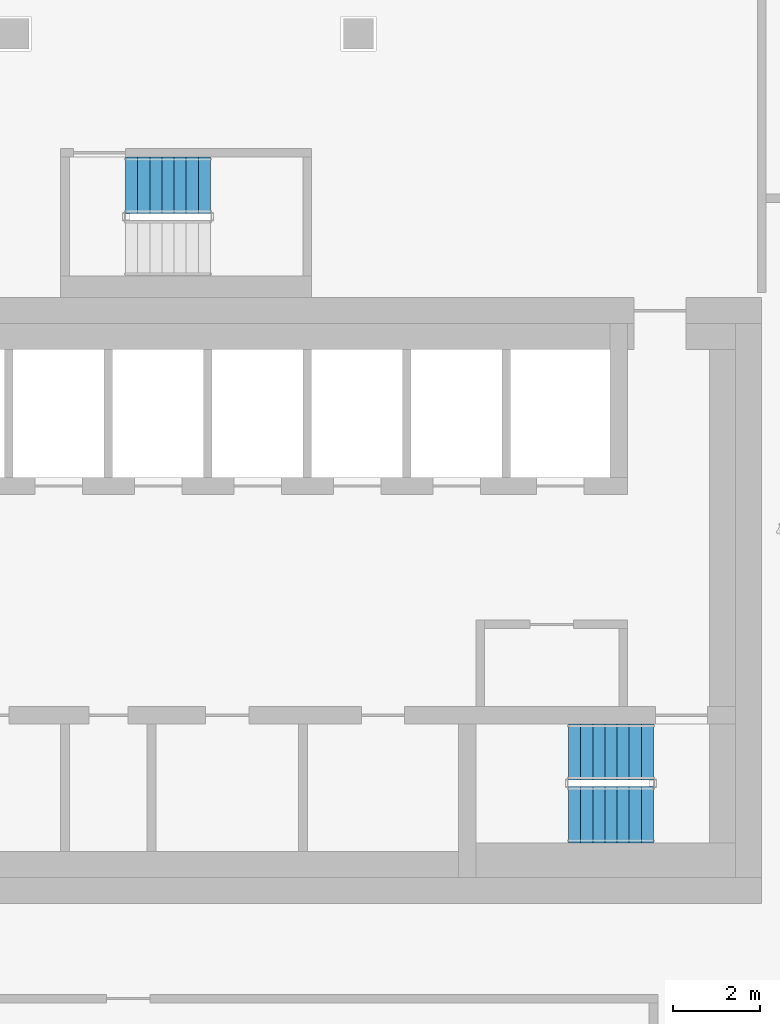
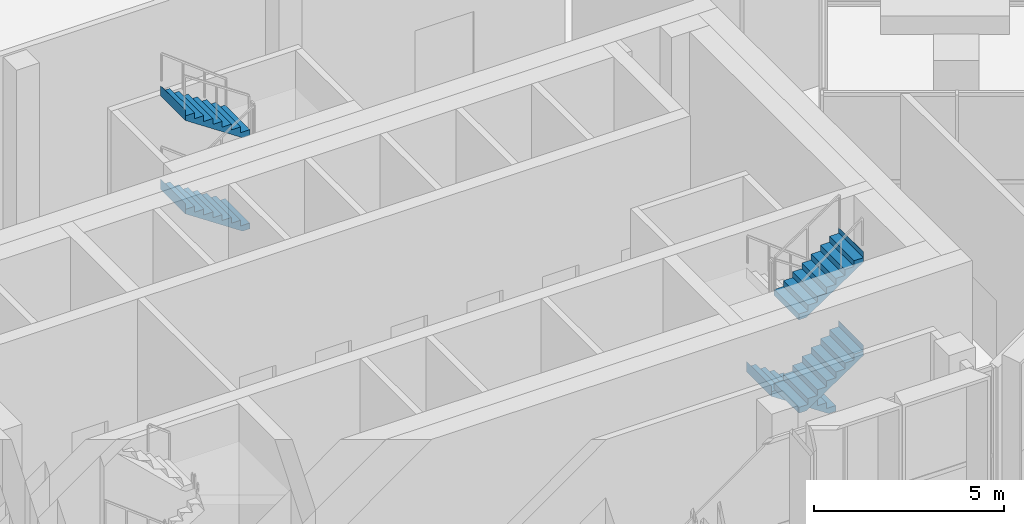
# One storey, part 17 of 23: 5 stair flights, 2 elements without a shape of their own.
"""IFC4 building model written with IfcOpenShell, lengths in metres."""

from ifc_helpers import new_model, si_unit, direction, frame, origin, place, context, subcontext, project, spatial, triangles, material, type_object, element, aggregate, save


model = new_model("IFC4")

# Units and contexts
model_context = context("Model", 3, precision=1e-05, world=origin(), true_north=direction((0.0, 1.0)))
body_context = subcontext(model_context, "Body", "Model", "MODEL_VIEW")
ifc_project = project(units=[si_unit("LENGTHUNIT", "METRE"), si_unit("AREAUNIT", "SQUARE_METRE"), si_unit("VOLUMEUNIT", "CUBIC_METRE"), si_unit("PLANEANGLEUNIT", "RADIAN"), si_unit("MASSUNIT", "GRAM", prefix="KILO")], contexts=[model_context])

# Site, building, storey
site_placement = place(None, origin())
site = spatial("IfcSite", under=ifc_project, at=site_placement, CompositionType="ELEMENT")
building_placement = place(site_placement, origin())
building = spatial("IfcBuilding", under=site, at=building_placement, Name="Beryl Residences", CompositionType="ELEMENT")
storey_placement = place(building_placement, frame((0.0, 0.0, 157.199951171875)))
storey = spatial("IfcBuildingStorey", under=building, at=storey_placement, Name="L48", CompositionType="ELEMENT", Elevation=157.199951171875)

# Stair, stair flights
ifc_material_1 = material(Name="Concrete C40/50", Category="concrete")
stair_type = type_object("IfcStairType", Name="ST1 protected exit stair, half-turn, 1300 mm flights", PredefinedType="HALF_TURN_STAIR", material=ifc_material_1)
stair_1_placement = place(storey_placement, origin())
stair_1 = element("IfcStair", 1, at=stair_1_placement, inside=storey, type_object=stair_type, Name="L48 PROTECTED EXIT STAIR ST-3", PredefinedType="HALF_TURN_STAIR")
ifc_material_2 = material(Name="Concrete C40/50", Category="concrete")
stair_flight_type = type_object("IfcStairFlightType", Name="SF1 stair flight 1300 mm", PredefinedType="STRAIGHT", material=ifc_material_2)
stair_flight_1_placement = place(storey_placement, frame((10.800048828125, -15.5, 0.0), z_axis=(0.0, 0.0, 1.0), x_axis=(-1.0, 0.0, 0.0)))
stair_flight_1 = element("IfcStairFlight", 2, at=stair_flight_1_placement, type_object=stair_flight_type, Name="ST-3 flight 1", NumberOfRisers=8, NumberOfTreads=7, PredefinedType="STRAIGHT", RiserHeight=0.1875, TreadLength=0.28, context=body_context, shape_type="Tessellation", body=[
    triangles([(0.0, -0.64990234375, 0.0), (0.0, -0.324951171875, 0.0), (0.0, 0.0, 0.0), (0.0, 0.324951171875, 0.0), (0.0, 0.64990234375, 0.0), (0.0, -0.64990234375, 0.1875), (0.0, -0.324951171875, 0.1875), (0.0, 0.0, 0.1875), (0.0, 0.324951171875, 0.1875), (0.0, 0.64990234375, 0.1875), (0.280029296875, -0.64990234375, 0.1875), (0.280029296875, -0.324951171875, 0.1875), (0.280029296875, 0.0, 0.1875), (0.280029296875, 0.324951171875, 0.1875), (0.280029296875, 0.64990234375, 0.1875), (0.280029296875, -0.64990234375, 0.375), (0.280029296875, -0.324951171875, 0.375), (0.280029296875, 0.0, 0.375), (0.280029296875, 0.324951171875, 0.375), (0.280029296875, 0.64990234375, 0.375), (0.56005859375, -0.64990234375, 0.375), (0.56005859375, -0.324951171875, 0.375), (0.56005859375, 0.0, 0.375), (0.56005859375, 0.324951171875, 0.375), (0.56005859375, 0.64990234375, 0.375), (0.56005859375, -0.64990234375, 0.5625), (0.56005859375, -0.324951171875, 0.5625), (0.56005859375, 0.0, 0.5625), (0.56005859375, 0.324951171875, 0.5625), (0.56005859375, 0.64990234375, 0.5625), (0.840087890625, -0.64990234375, 0.5625), (0.840087890625, -0.324951171875, 0.5625), (0.840087890625, 0.0, 0.5625), (0.840087890625, 0.324951171875, 0.5625), (0.840087890625, 0.64990234375, 0.5625), (0.840087890625, -0.64990234375, 0.75), (0.840087890625, -0.324951171875, 0.75), (0.840087890625, 0.0, 0.75), (0.840087890625, 0.324951171875, 0.75), (0.840087890625, 0.64990234375, 0.75), (1.1201171875, -0.64990234375, 0.75), (1.1201171875, -0.324951171875, 0.75), (1.1201171875, 0.0, 0.75), (1.1201171875, 0.324951171875, 0.75), (1.1201171875, 0.64990234375, 0.75), (1.1201171875, -0.64990234375, 0.9375), (1.1201171875, -0.324951171875, 0.9375), (1.1201171875, 0.0, 0.9375), (1.1201171875, 0.324951171875, 0.9375), (1.1201171875, 0.64990234375, 0.9375), (1.39990234375, -0.64990234375, 0.9375), (1.39990234375, -0.324951171875, 0.9375), (1.39990234375, 0.0, 0.9375), (1.39990234375, 0.324951171875, 0.9375), (1.39990234375, 0.64990234375, 0.9375), (1.39990234375, -0.64990234375, 1.125), (1.39990234375, -0.324951171875, 1.125), (1.39990234375, 0.0, 1.125), (1.39990234375, 0.324951171875, 1.125), (1.39990234375, 0.64990234375, 1.125), (1.679931640625, -0.64990234375, 1.125), (1.679931640625, -0.324951171875, 1.125), (1.679931640625, 0.0, 1.125), (1.679931640625, 0.324951171875, 1.125), (1.679931640625, 0.64990234375, 1.125), (1.679931640625, -0.64990234375, 1.3125), (1.679931640625, -0.324951171875, 1.3125), (1.679931640625, 0.0, 1.3125), (1.679931640625, 0.324951171875, 1.3125), (1.679931640625, 0.64990234375, 1.3125), (1.9599609375, -0.64990234375, 1.3125), (1.9599609375, -0.324951171875, 1.3125), (1.9599609375, 0.0, 1.3125), (1.9599609375, 0.324951171875, 1.3125), (1.9599609375, 0.64990234375, 1.3125), (1.9599609375, -0.64990234375, 1.5), (1.9599609375, -0.324951171875, 1.5), (1.9599609375, 0.0, 1.5), (1.9599609375, 0.324951171875, 1.5), (1.9599609375, 0.64990234375, 1.5), (1.9609375, -0.64990234375, 1.5), (1.9609375, -0.324951171875, 1.5), (1.9609375, 0.0, 1.5), (1.9609375, 0.324951171875, 1.5), (1.9609375, 0.64990234375, 1.5), (1.9609375, -0.64990234375, 1.16796875), (1.9609375, -0.324951171875, 1.16796875), (1.9609375, 0.0, 1.16796875), (1.9609375, 0.324951171875, 1.16796875), (1.9609375, 0.64990234375, 1.16796875), (0.216796875, -0.64990234375, 0.0), (0.216796875, -0.324951171875, 0.0), (0.216796875, 0.0, 0.0), (0.216796875, 0.324951171875, 0.0), (0.216796875, 0.64990234375, 0.0)], [[1, 6, 7], [1, 7, 2], [2, 7, 8], [2, 8, 3], [3, 8, 9], [3, 9, 4], [4, 9, 10], [4, 10, 5], [6, 11, 12], [6, 12, 7], [7, 12, 13], [7, 13, 8], [8, 13, 14], [8, 14, 9], [9, 14, 15], [9, 15, 10], [11, 16, 17], [11, 17, 12], [12, 17, 18], [12, 18, 13], [13, 18, 19], [13, 19, 14], [14, 19, 20], [14, 20, 15], [16, 21, 22], [16, 22, 17], [17, 22, 23], [17, 23, 18], [18, 23, 24], [18, 24, 19], [19, 24, 25], [19, 25, 20], [21, 26, 27], [21, 27, 22], [22, 27, 28], [22, 28, 23], [23, 28, 29], [23, 29, 24], [24, 29, 30], [24, 30, 25], [26, 31, 32], [26, 32, 27], [27, 32, 33], [27, 33, 28], [28, 33, 34], [28, 34, 29], [29, 34, 35], [29, 35, 30], [31, 36, 37], [31, 37, 32], [32, 37, 38], [32, 38, 33], [33, 38, 39], [33, 39, 34], [34, 39, 40], [34, 40, 35], [36, 41, 42], [36, 42, 37], [37, 42, 43], [37, 43, 38], [38, 43, 44], [38, 44, 39], [39, 44, 45], [39, 45, 40], [41, 46, 47], [41, 47, 42], [42, 47, 48], [42, 48, 43], [43, 48, 49], [43, 49, 44], [44, 49, 50], [44, 50, 45], [46, 51, 52], [46, 52, 47], [47, 52, 53], [47, 53, 48], [48, 53, 54], [48, 54, 49], [49, 54, 55], [49, 55, 50], [51, 56, 57], [51, 57, 52], [52, 57, 58], [52, 58, 53], [53, 58, 59], [53, 59, 54], [54, 59, 60], [54, 60, 55], [56, 61, 62], [56, 62, 57], [57, 62, 63], [57, 63, 58], [58, 63, 64], [58, 64, 59], [59, 64, 65], [59, 65, 60], [61, 66, 67], [61, 67, 62], [62, 67, 68], [62, 68, 63], [63, 68, 69], [63, 69, 64], [64, 69, 70], [64, 70, 65], [66, 71, 72], [66, 72, 67], [67, 72, 73], [67, 73, 68], [68, 73, 74], [68, 74, 69], [69, 74, 75], [69, 75, 70], [71, 76, 77], [71, 77, 72], [72, 77, 78], [72, 78, 73], [73, 78, 79], [73, 79, 74], [74, 79, 80], [74, 80, 75], [76, 81, 82], [76, 82, 77], [77, 82, 83], [77, 83, 78], [78, 83, 84], [78, 84, 79], [79, 84, 85], [79, 85, 80], [81, 86, 87], [81, 87, 82], [82, 87, 88], [82, 88, 83], [83, 88, 89], [83, 89, 84], [84, 89, 90], [84, 90, 85], [86, 91, 92], [86, 92, 87], [87, 92, 93], [87, 93, 88], [88, 93, 94], [88, 94, 89], [89, 94, 95], [89, 95, 90], [91, 1, 2], [91, 2, 92], [92, 2, 3], [92, 3, 93], [93, 3, 4], [93, 4, 94], [94, 4, 5], [94, 5, 95], [1, 91, 86], [5, 90, 95], [86, 81, 76], [90, 80, 85], [86, 76, 71], [90, 75, 80], [86, 71, 66], [90, 70, 75], [86, 66, 61], [90, 65, 70], [61, 56, 51], [65, 55, 60], [86, 61, 51], [90, 55, 65], [51, 46, 41], [55, 45, 50], [86, 51, 41], [90, 45, 55], [41, 36, 31], [45, 35, 40], [86, 41, 31], [90, 35, 45], [31, 26, 21], [35, 25, 30], [86, 31, 21], [90, 25, 35], [21, 16, 11], [25, 15, 20], [86, 21, 11], [90, 15, 25], [1, 86, 11], [5, 15, 90], [11, 6, 1], [15, 5, 10]], closed=True),
])
stair_flight_2_placement = place(storey_placement, frame((8.840087890625, -16.949951171875, 1.5), z_axis=(0.0, 0.0, 1.0), x_axis=(1.0, 0.0, 0.0)))
stair_flight_2 = element("IfcStairFlight", 3, at=stair_flight_2_placement, type_object=stair_flight_type, Name="ST-3 flight 2", NumberOfRisers=8, NumberOfTreads=7, PredefinedType="STRAIGHT", RiserHeight=0.1875, TreadLength=0.28, context=body_context, shape_type="Tessellation", body=[
    triangles([(0.0, -0.64990234375, 0.0), (0.0, -0.324951171875, 0.0), (0.0, 0.0, 0.0), (0.0, 0.324951171875, 0.0), (0.0, 0.64990234375, 0.0), (0.0, -0.64990234375, 0.1875), (0.0, -0.324951171875, 0.1875), (0.0, 0.0, 0.1875), (0.0, 0.324951171875, 0.1875), (0.0, 0.64990234375, 0.1875), (0.280029296875, -0.64990234375, 0.1875), (0.280029296875, -0.324951171875, 0.1875), (0.280029296875, 0.0, 0.1875), (0.280029296875, 0.324951171875, 0.1875), (0.280029296875, 0.64990234375, 0.1875), (0.280029296875, -0.64990234375, 0.375), (0.280029296875, -0.324951171875, 0.375), (0.280029296875, 0.0, 0.375), (0.280029296875, 0.324951171875, 0.375), (0.280029296875, 0.64990234375, 0.375), (0.56005859375, -0.64990234375, 0.375), (0.56005859375, -0.324951171875, 0.375), (0.56005859375, 0.0, 0.375), (0.56005859375, 0.324951171875, 0.375), (0.56005859375, 0.64990234375, 0.375), (0.56005859375, -0.64990234375, 0.5625), (0.56005859375, -0.324951171875, 0.5625), (0.56005859375, 0.0, 0.5625), (0.56005859375, 0.324951171875, 0.5625), (0.56005859375, 0.64990234375, 0.5625), (0.840087890625, -0.64990234375, 0.5625), (0.840087890625, -0.324951171875, 0.5625), (0.840087890625, 0.0, 0.5625), (0.840087890625, 0.324951171875, 0.5625), (0.840087890625, 0.64990234375, 0.5625), (0.840087890625, -0.64990234375, 0.75), (0.840087890625, -0.324951171875, 0.75), (0.840087890625, 0.0, 0.75), (0.840087890625, 0.324951171875, 0.75), (0.840087890625, 0.64990234375, 0.75), (1.1201171875, -0.64990234375, 0.75), (1.1201171875, -0.324951171875, 0.75), (1.1201171875, 0.0, 0.75), (1.1201171875, 0.324951171875, 0.75), (1.1201171875, 0.64990234375, 0.75), (1.1201171875, -0.64990234375, 0.9375), (1.1201171875, -0.324951171875, 0.9375), (1.1201171875, 0.0, 0.9375), (1.1201171875, 0.324951171875, 0.9375), (1.1201171875, 0.64990234375, 0.9375), (1.39990234375, -0.64990234375, 0.9375), (1.39990234375, -0.324951171875, 0.9375), (1.39990234375, 0.0, 0.9375), (1.39990234375, 0.324951171875, 0.9375), (1.39990234375, 0.64990234375, 0.9375), (1.39990234375, -0.64990234375, 1.125), (1.39990234375, -0.324951171875, 1.125), (1.39990234375, 0.0, 1.125), (1.39990234375, 0.324951171875, 1.125), (1.39990234375, 0.64990234375, 1.125), (1.679931640625, -0.64990234375, 1.125), (1.679931640625, -0.324951171875, 1.125), (1.679931640625, 0.0, 1.125), (1.679931640625, 0.324951171875, 1.125), (1.679931640625, 0.64990234375, 1.125), (1.679931640625, -0.64990234375, 1.3125), (1.679931640625, -0.324951171875, 1.3125), (1.679931640625, 0.0, 1.3125), (1.679931640625, 0.324951171875, 1.3125), (1.679931640625, 0.64990234375, 1.3125), (1.9599609375, -0.64990234375, 1.3125), (1.9599609375, -0.324951171875, 1.3125), (1.9599609375, 0.0, 1.3125), (1.9599609375, 0.324951171875, 1.3125), (1.9599609375, 0.64990234375, 1.3125), (1.9599609375, -0.64990234375, 1.5), (1.9599609375, -0.324951171875, 1.5), (1.9599609375, 0.0, 1.5), (1.9599609375, 0.324951171875, 1.5), (1.9599609375, 0.64990234375, 1.5), (1.9609375, -0.64990234375, 1.5), (1.9609375, -0.324951171875, 1.5), (1.9609375, 0.0, 1.5), (1.9609375, 0.324951171875, 1.5), (1.9609375, 0.64990234375, 1.5), (1.9609375, -0.64990234375, 1.16796875), (1.9609375, -0.324951171875, 1.16796875), (1.9609375, 0.0, 1.16796875), (1.9609375, 0.324951171875, 1.16796875), (1.9609375, 0.64990234375, 1.16796875), (0.216796875, -0.64990234375, 0.0), (0.216796875, -0.324951171875, 0.0), (0.216796875, 0.0, 0.0), (0.216796875, 0.324951171875, 0.0), (0.216796875, 0.64990234375, 0.0)], [[1, 6, 7], [1, 7, 2], [2, 7, 8], [2, 8, 3], [3, 8, 9], [3, 9, 4], [4, 9, 10], [4, 10, 5], [6, 11, 12], [6, 12, 7], [7, 12, 13], [7, 13, 8], [8, 13, 14], [8, 14, 9], [9, 14, 15], [9, 15, 10], [11, 16, 17], [11, 17, 12], [12, 17, 18], [12, 18, 13], [13, 18, 19], [13, 19, 14], [14, 19, 20], [14, 20, 15], [16, 21, 22], [16, 22, 17], [17, 22, 23], [17, 23, 18], [18, 23, 24], [18, 24, 19], [19, 24, 25], [19, 25, 20], [21, 26, 27], [21, 27, 22], [22, 27, 28], [22, 28, 23], [23, 28, 29], [23, 29, 24], [24, 29, 30], [24, 30, 25], [26, 31, 32], [26, 32, 27], [27, 32, 33], [27, 33, 28], [28, 33, 34], [28, 34, 29], [29, 34, 35], [29, 35, 30], [31, 36, 37], [31, 37, 32], [32, 37, 38], [32, 38, 33], [33, 38, 39], [33, 39, 34], [34, 39, 40], [34, 40, 35], [36, 41, 42], [36, 42, 37], [37, 42, 43], [37, 43, 38], [38, 43, 44], [38, 44, 39], [39, 44, 45], [39, 45, 40], [41, 46, 47], [41, 47, 42], [42, 47, 48], [42, 48, 43], [43, 48, 49], [43, 49, 44], [44, 49, 50], [44, 50, 45], [46, 51, 52], [46, 52, 47], [47, 52, 53], [47, 53, 48], [48, 53, 54], [48, 54, 49], [49, 54, 55], [49, 55, 50], [51, 56, 57], [51, 57, 52], [52, 57, 58], [52, 58, 53], [53, 58, 59], [53, 59, 54], [54, 59, 60], [54, 60, 55], [56, 61, 62], [56, 62, 57], [57, 62, 63], [57, 63, 58], [58, 63, 64], [58, 64, 59], [59, 64, 65], [59, 65, 60], [61, 66, 67], [61, 67, 62], [62, 67, 68], [62, 68, 63], [63, 68, 69], [63, 69, 64], [64, 69, 70], [64, 70, 65], [66, 71, 72], [66, 72, 67], [67, 72, 73], [67, 73, 68], [68, 73, 74], [68, 74, 69], [69, 74, 75], [69, 75, 70], [71, 76, 77], [71, 77, 72], [72, 77, 78], [72, 78, 73], [73, 78, 79], [73, 79, 74], [74, 79, 80], [74, 80, 75], [76, 81, 82], [76, 82, 77], [77, 82, 83], [77, 83, 78], [78, 83, 84], [78, 84, 79], [79, 84, 85], [79, 85, 80], [81, 86, 87], [81, 87, 82], [82, 87, 88], [82, 88, 83], [83, 88, 89], [83, 89, 84], [84, 89, 90], [84, 90, 85], [86, 91, 92], [86, 92, 87], [87, 92, 93], [87, 93, 88], [88, 93, 94], [88, 94, 89], [89, 94, 95], [89, 95, 90], [91, 1, 2], [91, 2, 92], [92, 2, 3], [92, 3, 93], [93, 3, 4], [93, 4, 94], [94, 4, 5], [94, 5, 95], [1, 91, 86], [5, 90, 95], [86, 81, 76], [90, 80, 85], [86, 76, 71], [90, 75, 80], [86, 71, 66], [90, 70, 75], [86, 66, 61], [90, 65, 70], [61, 56, 51], [65, 55, 60], [86, 61, 51], [90, 55, 65], [51, 46, 41], [55, 45, 50], [86, 51, 41], [90, 45, 55], [41, 36, 31], [45, 35, 40], [86, 41, 31], [90, 35, 45], [31, 26, 21], [35, 25, 30], [86, 31, 21], [90, 25, 35], [21, 16, 11], [25, 15, 20], [86, 21, 11], [90, 15, 25], [1, 86, 11], [5, 15, 90], [11, 6, 1], [15, 5, 10]], closed=True),
])
stair_flight_3_placement = place(storey_placement, frame((8.840087890625, -16.949951171875, 4.5), z_axis=(0.0, 0.0, 1.0), x_axis=(1.0, 0.0, 0.0)))
stair_flight_3 = element("IfcStairFlight", 4, at=stair_flight_3_placement, type_object=stair_flight_type, Name="ST-3 flight 4", NumberOfRisers=8, NumberOfTreads=7, PredefinedType="STRAIGHT", RiserHeight=0.1875, TreadLength=0.28, context=body_context, shape_type="Tessellation", body=[
    triangles([(0.0, -0.64990234375, 0.0), (0.0, -0.324951171875, 0.0), (0.0, 0.0, 0.0), (0.0, 0.324951171875, 0.0), (0.0, 0.64990234375, 0.0), (0.0, -0.64990234375, 0.1875), (0.0, -0.324951171875, 0.1875), (0.0, 0.0, 0.1875), (0.0, 0.324951171875, 0.1875), (0.0, 0.64990234375, 0.1875), (0.280029296875, -0.64990234375, 0.1875), (0.280029296875, -0.324951171875, 0.1875), (0.280029296875, 0.0, 0.1875), (0.280029296875, 0.324951171875, 0.1875), (0.280029296875, 0.64990234375, 0.1875), (0.280029296875, -0.64990234375, 0.375), (0.280029296875, -0.324951171875, 0.375), (0.280029296875, 0.0, 0.375), (0.280029296875, 0.324951171875, 0.375), (0.280029296875, 0.64990234375, 0.375), (0.56005859375, -0.64990234375, 0.375), (0.56005859375, -0.324951171875, 0.375), (0.56005859375, 0.0, 0.375), (0.56005859375, 0.324951171875, 0.375), (0.56005859375, 0.64990234375, 0.375), (0.56005859375, -0.64990234375, 0.5625), (0.56005859375, -0.324951171875, 0.5625), (0.56005859375, 0.0, 0.5625), (0.56005859375, 0.324951171875, 0.5625), (0.56005859375, 0.64990234375, 0.5625), (0.840087890625, -0.64990234375, 0.5625), (0.840087890625, -0.324951171875, 0.5625), (0.840087890625, 0.0, 0.5625), (0.840087890625, 0.324951171875, 0.5625), (0.840087890625, 0.64990234375, 0.5625), (0.840087890625, -0.64990234375, 0.75), (0.840087890625, -0.324951171875, 0.75), (0.840087890625, 0.0, 0.75), (0.840087890625, 0.324951171875, 0.75), (0.840087890625, 0.64990234375, 0.75), (1.1201171875, -0.64990234375, 0.75), (1.1201171875, -0.324951171875, 0.75), (1.1201171875, 0.0, 0.75), (1.1201171875, 0.324951171875, 0.75), (1.1201171875, 0.64990234375, 0.75), (1.1201171875, -0.64990234375, 0.9375), (1.1201171875, -0.324951171875, 0.9375), (1.1201171875, 0.0, 0.9375), (1.1201171875, 0.324951171875, 0.9375), (1.1201171875, 0.64990234375, 0.9375), (1.39990234375, -0.64990234375, 0.9375), (1.39990234375, -0.324951171875, 0.9375), (1.39990234375, 0.0, 0.9375), (1.39990234375, 0.324951171875, 0.9375), (1.39990234375, 0.64990234375, 0.9375), (1.39990234375, -0.64990234375, 1.125), (1.39990234375, -0.324951171875, 1.125), (1.39990234375, 0.0, 1.125), (1.39990234375, 0.324951171875, 1.125), (1.39990234375, 0.64990234375, 1.125), (1.679931640625, -0.64990234375, 1.125), (1.679931640625, -0.324951171875, 1.125), (1.679931640625, 0.0, 1.125), (1.679931640625, 0.324951171875, 1.125), (1.679931640625, 0.64990234375, 1.125), (1.679931640625, -0.64990234375, 1.3125), (1.679931640625, -0.324951171875, 1.3125), (1.679931640625, 0.0, 1.3125), (1.679931640625, 0.324951171875, 1.3125), (1.679931640625, 0.64990234375, 1.3125), (1.9599609375, -0.64990234375, 1.3125), (1.9599609375, -0.324951171875, 1.3125), (1.9599609375, 0.0, 1.3125), (1.9599609375, 0.324951171875, 1.3125), (1.9599609375, 0.64990234375, 1.3125), (1.9599609375, -0.64990234375, 1.5), (1.9599609375, -0.324951171875, 1.5), (1.9599609375, 0.0, 1.5), (1.9599609375, 0.324951171875, 1.5), (1.9599609375, 0.64990234375, 1.5), (1.9609375, -0.64990234375, 1.5), (1.9609375, -0.324951171875, 1.5), (1.9609375, 0.0, 1.5), (1.9609375, 0.324951171875, 1.5), (1.9609375, 0.64990234375, 1.5), (1.9609375, -0.64990234375, 1.16796875), (1.9609375, -0.324951171875, 1.16796875), (1.9609375, 0.0, 1.16796875), (1.9609375, 0.324951171875, 1.16796875), (1.9609375, 0.64990234375, 1.16796875), (0.216796875, -0.64990234375, 0.0), (0.216796875, -0.324951171875, 0.0), (0.216796875, 0.0, 0.0), (0.216796875, 0.324951171875, 0.0), (0.216796875, 0.64990234375, 0.0)], [[1, 6, 7], [1, 7, 2], [2, 7, 8], [2, 8, 3], [3, 8, 9], [3, 9, 4], [4, 9, 10], [4, 10, 5], [6, 11, 12], [6, 12, 7], [7, 12, 13], [7, 13, 8], [8, 13, 14], [8, 14, 9], [9, 14, 15], [9, 15, 10], [11, 16, 17], [11, 17, 12], [12, 17, 18], [12, 18, 13], [13, 18, 19], [13, 19, 14], [14, 19, 20], [14, 20, 15], [16, 21, 22], [16, 22, 17], [17, 22, 23], [17, 23, 18], [18, 23, 24], [18, 24, 19], [19, 24, 25], [19, 25, 20], [21, 26, 27], [21, 27, 22], [22, 27, 28], [22, 28, 23], [23, 28, 29], [23, 29, 24], [24, 29, 30], [24, 30, 25], [26, 31, 32], [26, 32, 27], [27, 32, 33], [27, 33, 28], [28, 33, 34], [28, 34, 29], [29, 34, 35], [29, 35, 30], [31, 36, 37], [31, 37, 32], [32, 37, 38], [32, 38, 33], [33, 38, 39], [33, 39, 34], [34, 39, 40], [34, 40, 35], [36, 41, 42], [36, 42, 37], [37, 42, 43], [37, 43, 38], [38, 43, 44], [38, 44, 39], [39, 44, 45], [39, 45, 40], [41, 46, 47], [41, 47, 42], [42, 47, 48], [42, 48, 43], [43, 48, 49], [43, 49, 44], [44, 49, 50], [44, 50, 45], [46, 51, 52], [46, 52, 47], [47, 52, 53], [47, 53, 48], [48, 53, 54], [48, 54, 49], [49, 54, 55], [49, 55, 50], [51, 56, 57], [51, 57, 52], [52, 57, 58], [52, 58, 53], [53, 58, 59], [53, 59, 54], [54, 59, 60], [54, 60, 55], [56, 61, 62], [56, 62, 57], [57, 62, 63], [57, 63, 58], [58, 63, 64], [58, 64, 59], [59, 64, 65], [59, 65, 60], [61, 66, 67], [61, 67, 62], [62, 67, 68], [62, 68, 63], [63, 68, 69], [63, 69, 64], [64, 69, 70], [64, 70, 65], [66, 71, 72], [66, 72, 67], [67, 72, 73], [67, 73, 68], [68, 73, 74], [68, 74, 69], [69, 74, 75], [69, 75, 70], [71, 76, 77], [71, 77, 72], [72, 77, 78], [72, 78, 73], [73, 78, 79], [73, 79, 74], [74, 79, 80], [74, 80, 75], [76, 81, 82], [76, 82, 77], [77, 82, 83], [77, 83, 78], [78, 83, 84], [78, 84, 79], [79, 84, 85], [79, 85, 80], [81, 86, 87], [81, 87, 82], [82, 87, 88], [82, 88, 83], [83, 88, 89], [83, 89, 84], [84, 89, 90], [84, 90, 85], [86, 91, 92], [86, 92, 87], [87, 92, 93], [87, 93, 88], [88, 93, 94], [88, 94, 89], [89, 94, 95], [89, 95, 90], [91, 1, 2], [91, 2, 92], [92, 2, 3], [92, 3, 93], [93, 3, 4], [93, 4, 94], [94, 4, 5], [94, 5, 95], [1, 91, 86], [5, 90, 95], [86, 81, 76], [90, 80, 85], [86, 76, 71], [90, 75, 80], [86, 71, 66], [90, 70, 75], [86, 66, 61], [90, 65, 70], [61, 56, 51], [65, 55, 60], [86, 61, 51], [90, 55, 65], [51, 46, 41], [55, 45, 50], [86, 51, 41], [90, 45, 55], [41, 36, 31], [45, 35, 40], [86, 41, 31], [90, 35, 45], [31, 26, 21], [35, 25, 30], [86, 31, 21], [90, 25, 35], [21, 16, 11], [25, 15, 20], [86, 21, 11], [90, 15, 25], [1, 86, 11], [5, 15, 90], [11, 6, 1], [15, 5, 10]], closed=True),
])
aggregate(stair_1, [stair_flight_1, stair_flight_2, stair_flight_3])

stair_2_placement = place(storey_placement, origin())
stair_2 = element("IfcStair", 5, at=stair_2_placement, inside=storey, type_object=stair_type, Name="L48 PROTECTED EXIT STAIR ST-4", PredefinedType="HALF_TURN_STAIR")
stair_flight_4_placement = place(storey_placement, frame((0.56005859375, -2.39990234375, 1.5), z_axis=(0.0, 0.0, 1.0), x_axis=(-1.0, 0.0, 0.0)))
stair_flight_4 = element("IfcStairFlight", 6, at=stair_flight_4_placement, type_object=stair_flight_type, Name="ST-4 flight 2", NumberOfRisers=8, NumberOfTreads=7, PredefinedType="STRAIGHT", RiserHeight=0.1875, TreadLength=0.28, context=body_context, shape_type="Tessellation", body=[
    triangles([(0.0, -0.64990234375, 0.0), (0.0, -0.324951171875, 0.0), (0.0, 0.0, 0.0), (0.0, 0.324951171875, 0.0), (0.0, 0.64990234375, 0.0), (0.0, -0.64990234375, 0.1875), (0.0, -0.324951171875, 0.1875), (0.0, 0.0, 0.1875), (0.0, 0.324951171875, 0.1875), (0.0, 0.64990234375, 0.1875), (0.280029296875, -0.64990234375, 0.1875), (0.280029296875, -0.324951171875, 0.1875), (0.280029296875, 0.0, 0.1875), (0.280029296875, 0.324951171875, 0.1875), (0.280029296875, 0.64990234375, 0.1875), (0.280029296875, -0.64990234375, 0.375), (0.280029296875, -0.324951171875, 0.375), (0.280029296875, 0.0, 0.375), (0.280029296875, 0.324951171875, 0.375), (0.280029296875, 0.64990234375, 0.375), (0.56005859375, -0.64990234375, 0.375), (0.56005859375, -0.324951171875, 0.375), (0.56005859375, 0.0, 0.375), (0.56005859375, 0.324951171875, 0.375), (0.56005859375, 0.64990234375, 0.375), (0.56005859375, -0.64990234375, 0.5625), (0.56005859375, -0.324951171875, 0.5625), (0.56005859375, 0.0, 0.5625), (0.56005859375, 0.324951171875, 0.5625), (0.56005859375, 0.64990234375, 0.5625), (0.840087890625, -0.64990234375, 0.5625), (0.840087890625, -0.324951171875, 0.5625), (0.840087890625, 0.0, 0.5625), (0.840087890625, 0.324951171875, 0.5625), (0.840087890625, 0.64990234375, 0.5625), (0.840087890625, -0.64990234375, 0.75), (0.840087890625, -0.324951171875, 0.75), (0.840087890625, 0.0, 0.75), (0.840087890625, 0.324951171875, 0.75), (0.840087890625, 0.64990234375, 0.75), (1.1201171875, -0.64990234375, 0.75), (1.1201171875, -0.324951171875, 0.75), (1.1201171875, 0.0, 0.75), (1.1201171875, 0.324951171875, 0.75), (1.1201171875, 0.64990234375, 0.75), (1.1201171875, -0.64990234375, 0.9375), (1.1201171875, -0.324951171875, 0.9375), (1.1201171875, 0.0, 0.9375), (1.1201171875, 0.324951171875, 0.9375), (1.1201171875, 0.64990234375, 0.9375), (1.39990234375, -0.64990234375, 0.9375), (1.39990234375, -0.324951171875, 0.9375), (1.39990234375, 0.0, 0.9375), (1.39990234375, 0.324951171875, 0.9375), (1.39990234375, 0.64990234375, 0.9375), (1.39990234375, -0.64990234375, 1.125), (1.39990234375, -0.324951171875, 1.125), (1.39990234375, 0.0, 1.125), (1.39990234375, 0.324951171875, 1.125), (1.39990234375, 0.64990234375, 1.125), (1.679931640625, -0.64990234375, 1.125), (1.679931640625, -0.324951171875, 1.125), (1.679931640625, 0.0, 1.125), (1.679931640625, 0.324951171875, 1.125), (1.679931640625, 0.64990234375, 1.125), (1.679931640625, -0.64990234375, 1.3125), (1.679931640625, -0.324951171875, 1.3125), (1.679931640625, 0.0, 1.3125), (1.679931640625, 0.324951171875, 1.3125), (1.679931640625, 0.64990234375, 1.3125), (1.9599609375, -0.64990234375, 1.3125), (1.9599609375, -0.324951171875, 1.3125), (1.9599609375, 0.0, 1.3125), (1.9599609375, 0.324951171875, 1.3125), (1.9599609375, 0.64990234375, 1.3125), (1.9599609375, -0.64990234375, 1.5), (1.9599609375, -0.324951171875, 1.5), (1.9599609375, 0.0, 1.5), (1.9599609375, 0.324951171875, 1.5), (1.9599609375, 0.64990234375, 1.5), (1.9609375, -0.64990234375, 1.5), (1.9609375, -0.324951171875, 1.5), (1.9609375, 0.0, 1.5), (1.9609375, 0.324951171875, 1.5), (1.9609375, 0.64990234375, 1.5), (1.9609375, -0.64990234375, 1.16796875), (1.9609375, -0.324951171875, 1.16796875), (1.9609375, 0.0, 1.16796875), (1.9609375, 0.324951171875, 1.16796875), (1.9609375, 0.64990234375, 1.16796875), (0.216796875, -0.64990234375, 0.0), (0.216796875, -0.324951171875, 0.0), (0.216796875, 0.0, 0.0), (0.216796875, 0.324951171875, 0.0), (0.216796875, 0.64990234375, 0.0)], [[1, 6, 7], [1, 7, 2], [2, 7, 8], [2, 8, 3], [3, 8, 9], [3, 9, 4], [4, 9, 10], [4, 10, 5], [6, 11, 12], [6, 12, 7], [7, 12, 13], [7, 13, 8], [8, 13, 14], [8, 14, 9], [9, 14, 15], [9, 15, 10], [11, 16, 17], [11, 17, 12], [12, 17, 18], [12, 18, 13], [13, 18, 19], [13, 19, 14], [14, 19, 20], [14, 20, 15], [16, 21, 22], [16, 22, 17], [17, 22, 23], [17, 23, 18], [18, 23, 24], [18, 24, 19], [19, 24, 25], [19, 25, 20], [21, 26, 27], [21, 27, 22], [22, 27, 28], [22, 28, 23], [23, 28, 29], [23, 29, 24], [24, 29, 30], [24, 30, 25], [26, 31, 32], [26, 32, 27], [27, 32, 33], [27, 33, 28], [28, 33, 34], [28, 34, 29], [29, 34, 35], [29, 35, 30], [31, 36, 37], [31, 37, 32], [32, 37, 38], [32, 38, 33], [33, 38, 39], [33, 39, 34], [34, 39, 40], [34, 40, 35], [36, 41, 42], [36, 42, 37], [37, 42, 43], [37, 43, 38], [38, 43, 44], [38, 44, 39], [39, 44, 45], [39, 45, 40], [41, 46, 47], [41, 47, 42], [42, 47, 48], [42, 48, 43], [43, 48, 49], [43, 49, 44], [44, 49, 50], [44, 50, 45], [46, 51, 52], [46, 52, 47], [47, 52, 53], [47, 53, 48], [48, 53, 54], [48, 54, 49], [49, 54, 55], [49, 55, 50], [51, 56, 57], [51, 57, 52], [52, 57, 58], [52, 58, 53], [53, 58, 59], [53, 59, 54], [54, 59, 60], [54, 60, 55], [56, 61, 62], [56, 62, 57], [57, 62, 63], [57, 63, 58], [58, 63, 64], [58, 64, 59], [59, 64, 65], [59, 65, 60], [61, 66, 67], [61, 67, 62], [62, 67, 68], [62, 68, 63], [63, 68, 69], [63, 69, 64], [64, 69, 70], [64, 70, 65], [66, 71, 72], [66, 72, 67], [67, 72, 73], [67, 73, 68], [68, 73, 74], [68, 74, 69], [69, 74, 75], [69, 75, 70], [71, 76, 77], [71, 77, 72], [72, 77, 78], [72, 78, 73], [73, 78, 79], [73, 79, 74], [74, 79, 80], [74, 80, 75], [76, 81, 82], [76, 82, 77], [77, 82, 83], [77, 83, 78], [78, 83, 84], [78, 84, 79], [79, 84, 85], [79, 85, 80], [81, 86, 87], [81, 87, 82], [82, 87, 88], [82, 88, 83], [83, 88, 89], [83, 89, 84], [84, 89, 90], [84, 90, 85], [86, 91, 92], [86, 92, 87], [87, 92, 93], [87, 93, 88], [88, 93, 94], [88, 94, 89], [89, 94, 95], [89, 95, 90], [91, 1, 2], [91, 2, 92], [92, 2, 3], [92, 3, 93], [93, 3, 4], [93, 4, 94], [94, 4, 5], [94, 5, 95], [1, 91, 86], [5, 90, 95], [86, 81, 76], [90, 80, 85], [86, 76, 71], [90, 75, 80], [86, 71, 66], [90, 70, 75], [86, 66, 61], [90, 65, 70], [61, 56, 51], [65, 55, 60], [86, 61, 51], [90, 55, 65], [51, 46, 41], [55, 45, 50], [86, 51, 41], [90, 45, 55], [41, 36, 31], [45, 35, 40], [86, 41, 31], [90, 35, 45], [31, 26, 21], [35, 25, 30], [86, 31, 21], [90, 25, 35], [21, 16, 11], [25, 15, 20], [86, 21, 11], [90, 15, 25], [1, 86, 11], [5, 15, 90], [11, 6, 1], [15, 5, 10]], closed=True),
])
stair_flight_5_placement = place(storey_placement, frame((0.56005859375, -2.39990234375, 4.5), z_axis=(0.0, 0.0, 1.0), x_axis=(-1.0, 0.0, 0.0)))
stair_flight_5 = element("IfcStairFlight", 7, at=stair_flight_5_placement, type_object=stair_flight_type, Name="ST-4 flight 4", NumberOfRisers=8, NumberOfTreads=7, PredefinedType="STRAIGHT", RiserHeight=0.1875, TreadLength=0.28, context=body_context, shape_type="Tessellation", body=[
    triangles([(0.0, -0.64990234375, 0.0), (0.0, -0.324951171875, 0.0), (0.0, 0.0, 0.0), (0.0, 0.324951171875, 0.0), (0.0, 0.64990234375, 0.0), (0.0, -0.64990234375, 0.1875), (0.0, -0.324951171875, 0.1875), (0.0, 0.0, 0.1875), (0.0, 0.324951171875, 0.1875), (0.0, 0.64990234375, 0.1875), (0.280029296875, -0.64990234375, 0.1875), (0.280029296875, -0.324951171875, 0.1875), (0.280029296875, 0.0, 0.1875), (0.280029296875, 0.324951171875, 0.1875), (0.280029296875, 0.64990234375, 0.1875), (0.280029296875, -0.64990234375, 0.375), (0.280029296875, -0.324951171875, 0.375), (0.280029296875, 0.0, 0.375), (0.280029296875, 0.324951171875, 0.375), (0.280029296875, 0.64990234375, 0.375), (0.56005859375, -0.64990234375, 0.375), (0.56005859375, -0.324951171875, 0.375), (0.56005859375, 0.0, 0.375), (0.56005859375, 0.324951171875, 0.375), (0.56005859375, 0.64990234375, 0.375), (0.56005859375, -0.64990234375, 0.5625), (0.56005859375, -0.324951171875, 0.5625), (0.56005859375, 0.0, 0.5625), (0.56005859375, 0.324951171875, 0.5625), (0.56005859375, 0.64990234375, 0.5625), (0.840087890625, -0.64990234375, 0.5625), (0.840087890625, -0.324951171875, 0.5625), (0.840087890625, 0.0, 0.5625), (0.840087890625, 0.324951171875, 0.5625), (0.840087890625, 0.64990234375, 0.5625), (0.840087890625, -0.64990234375, 0.75), (0.840087890625, -0.324951171875, 0.75), (0.840087890625, 0.0, 0.75), (0.840087890625, 0.324951171875, 0.75), (0.840087890625, 0.64990234375, 0.75), (1.1201171875, -0.64990234375, 0.75), (1.1201171875, -0.324951171875, 0.75), (1.1201171875, 0.0, 0.75), (1.1201171875, 0.324951171875, 0.75), (1.1201171875, 0.64990234375, 0.75), (1.1201171875, -0.64990234375, 0.9375), (1.1201171875, -0.324951171875, 0.9375), (1.1201171875, 0.0, 0.9375), (1.1201171875, 0.324951171875, 0.9375), (1.1201171875, 0.64990234375, 0.9375), (1.39990234375, -0.64990234375, 0.9375), (1.39990234375, -0.324951171875, 0.9375), (1.39990234375, 0.0, 0.9375), (1.39990234375, 0.324951171875, 0.9375), (1.39990234375, 0.64990234375, 0.9375), (1.39990234375, -0.64990234375, 1.125), (1.39990234375, -0.324951171875, 1.125), (1.39990234375, 0.0, 1.125), (1.39990234375, 0.324951171875, 1.125), (1.39990234375, 0.64990234375, 1.125), (1.679931640625, -0.64990234375, 1.125), (1.679931640625, -0.324951171875, 1.125), (1.679931640625, 0.0, 1.125), (1.679931640625, 0.324951171875, 1.125), (1.679931640625, 0.64990234375, 1.125), (1.679931640625, -0.64990234375, 1.3125), (1.679931640625, -0.324951171875, 1.3125), (1.679931640625, 0.0, 1.3125), (1.679931640625, 0.324951171875, 1.3125), (1.679931640625, 0.64990234375, 1.3125), (1.9599609375, -0.64990234375, 1.3125), (1.9599609375, -0.324951171875, 1.3125), (1.9599609375, 0.0, 1.3125), (1.9599609375, 0.324951171875, 1.3125), (1.9599609375, 0.64990234375, 1.3125), (1.9599609375, -0.64990234375, 1.5), (1.9599609375, -0.324951171875, 1.5), (1.9599609375, 0.0, 1.5), (1.9599609375, 0.324951171875, 1.5), (1.9599609375, 0.64990234375, 1.5), (1.9609375, -0.64990234375, 1.5), (1.9609375, -0.324951171875, 1.5), (1.9609375, 0.0, 1.5), (1.9609375, 0.324951171875, 1.5), (1.9609375, 0.64990234375, 1.5), (1.9609375, -0.64990234375, 1.16796875), (1.9609375, -0.324951171875, 1.16796875), (1.9609375, 0.0, 1.16796875), (1.9609375, 0.324951171875, 1.16796875), (1.9609375, 0.64990234375, 1.16796875), (0.216796875, -0.64990234375, 0.0), (0.216796875, -0.324951171875, 0.0), (0.216796875, 0.0, 0.0), (0.216796875, 0.324951171875, 0.0), (0.216796875, 0.64990234375, 0.0)], [[1, 6, 7], [1, 7, 2], [2, 7, 8], [2, 8, 3], [3, 8, 9], [3, 9, 4], [4, 9, 10], [4, 10, 5], [6, 11, 12], [6, 12, 7], [7, 12, 13], [7, 13, 8], [8, 13, 14], [8, 14, 9], [9, 14, 15], [9, 15, 10], [11, 16, 17], [11, 17, 12], [12, 17, 18], [12, 18, 13], [13, 18, 19], [13, 19, 14], [14, 19, 20], [14, 20, 15], [16, 21, 22], [16, 22, 17], [17, 22, 23], [17, 23, 18], [18, 23, 24], [18, 24, 19], [19, 24, 25], [19, 25, 20], [21, 26, 27], [21, 27, 22], [22, 27, 28], [22, 28, 23], [23, 28, 29], [23, 29, 24], [24, 29, 30], [24, 30, 25], [26, 31, 32], [26, 32, 27], [27, 32, 33], [27, 33, 28], [28, 33, 34], [28, 34, 29], [29, 34, 35], [29, 35, 30], [31, 36, 37], [31, 37, 32], [32, 37, 38], [32, 38, 33], [33, 38, 39], [33, 39, 34], [34, 39, 40], [34, 40, 35], [36, 41, 42], [36, 42, 37], [37, 42, 43], [37, 43, 38], [38, 43, 44], [38, 44, 39], [39, 44, 45], [39, 45, 40], [41, 46, 47], [41, 47, 42], [42, 47, 48], [42, 48, 43], [43, 48, 49], [43, 49, 44], [44, 49, 50], [44, 50, 45], [46, 51, 52], [46, 52, 47], [47, 52, 53], [47, 53, 48], [48, 53, 54], [48, 54, 49], [49, 54, 55], [49, 55, 50], [51, 56, 57], [51, 57, 52], [52, 57, 58], [52, 58, 53], [53, 58, 59], [53, 59, 54], [54, 59, 60], [54, 60, 55], [56, 61, 62], [56, 62, 57], [57, 62, 63], [57, 63, 58], [58, 63, 64], [58, 64, 59], [59, 64, 65], [59, 65, 60], [61, 66, 67], [61, 67, 62], [62, 67, 68], [62, 68, 63], [63, 68, 69], [63, 69, 64], [64, 69, 70], [64, 70, 65], [66, 71, 72], [66, 72, 67], [67, 72, 73], [67, 73, 68], [68, 73, 74], [68, 74, 69], [69, 74, 75], [69, 75, 70], [71, 76, 77], [71, 77, 72], [72, 77, 78], [72, 78, 73], [73, 78, 79], [73, 79, 74], [74, 79, 80], [74, 80, 75], [76, 81, 82], [76, 82, 77], [77, 82, 83], [77, 83, 78], [78, 83, 84], [78, 84, 79], [79, 84, 85], [79, 85, 80], [81, 86, 87], [81, 87, 82], [82, 87, 88], [82, 88, 83], [83, 88, 89], [83, 89, 84], [84, 89, 90], [84, 90, 85], [86, 91, 92], [86, 92, 87], [87, 92, 93], [87, 93, 88], [88, 93, 94], [88, 94, 89], [89, 94, 95], [89, 95, 90], [91, 1, 2], [91, 2, 92], [92, 2, 3], [92, 3, 93], [93, 3, 4], [93, 4, 94], [94, 4, 5], [94, 5, 95], [1, 91, 86], [5, 90, 95], [86, 81, 76], [90, 80, 85], [86, 76, 71], [90, 75, 80], [86, 71, 66], [90, 70, 75], [86, 66, 61], [90, 65, 70], [61, 56, 51], [65, 55, 60], [86, 61, 51], [90, 55, 65], [51, 46, 41], [55, 45, 50], [86, 51, 41], [90, 45, 55], [41, 36, 31], [45, 35, 40], [86, 41, 31], [90, 35, 45], [31, 26, 21], [35, 25, 30], [86, 31, 21], [90, 25, 35], [21, 16, 11], [25, 15, 20], [86, 21, 11], [90, 15, 25], [1, 86, 11], [5, 15, 90], [11, 6, 1], [15, 5, 10]], closed=True),
])
aggregate(stair_2, [stair_flight_4, stair_flight_5])

save(model, "model.ifc")
